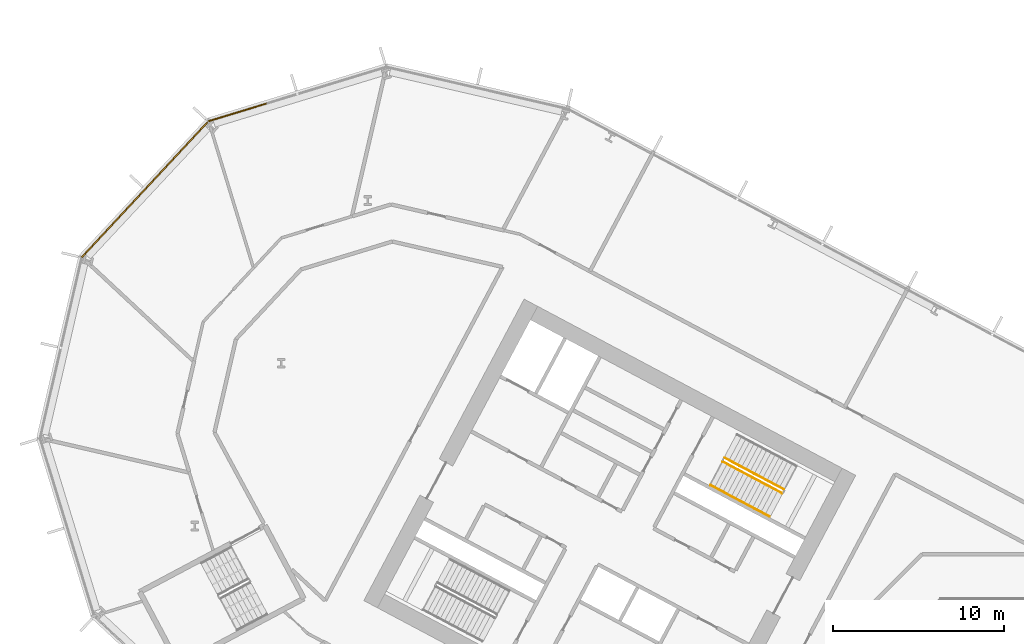
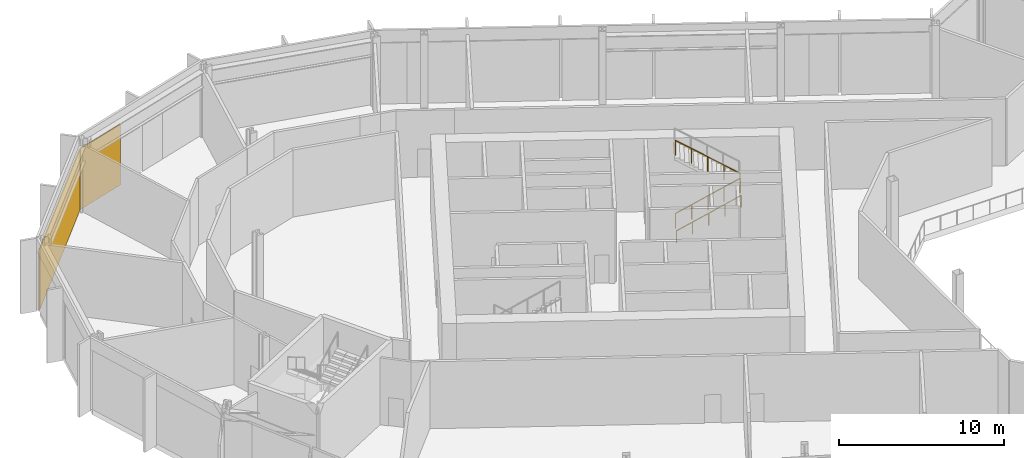
# One storey, part 24 of 32: 3 railings, 2 coverings, 2 elements without a shape of their own.
"""IFC4 building model written with IfcOpenShell, lengths in metres."""

from ifc_helpers import new_model, si_unit, direction, frame, origin, origin_2d, place, context, subcontext, project, spatial, polyline, rectangle, outline, extrude, material, layer, layer_set, type_object, element, aggregate, save


model = new_model("IFC4")

# Units and contexts
model_context = context("Model", 3, precision=1e-05, world=origin(), true_north=direction((0.0, 1.0)))
body_context = subcontext(model_context, "Body", "Model", "MODEL_VIEW")
ifc_project = project(units=[si_unit("LENGTHUNIT", "METRE"), si_unit("AREAUNIT", "SQUARE_METRE"), si_unit("VOLUMEUNIT", "CUBIC_METRE"), si_unit("PLANEANGLEUNIT", "RADIAN"), si_unit("MASSUNIT", "GRAM", prefix="KILO")], contexts=[model_context])

# Site, building, storey
site_placement = place(None, origin())
site = spatial("IfcSite", under=ifc_project, at=site_placement, CompositionType="ELEMENT")
building_placement = place(site_placement, origin())
building = spatial("IfcBuilding", under=site, at=building_placement, Name="Cormorant Relay Tower", CompositionType="ELEMENT")
storey_placement = place(building_placement, frame((0.0, 0.0, 17.60009765625)))
storey = spatial("IfcBuildingStorey", under=building, at=storey_placement, Name="L03", CompositionType="ELEMENT", Elevation=17.60009765625)

# Curtain wall, covering
ifc_material_1 = material(Name="Aluminium 6063-T6 anodised bronze", Category="aluminium")
ifc_layer_1 = layer(ifc_material_1, 0.235107421875)
ifc_layer_set_1 = layer_set([ifc_layer_1], Name="CW6 data hall curtain wall with mineral wool panels")
curtain_wall_type = type_object("IfcCurtainWallType", Name="CW6 data hall curtain wall with mineral wool panels", PredefinedType="NOTDEFINED", material=ifc_layer_set_1)
curtain_wall_1_placement = place(storey_placement, origin())
curtain_wall_1 = element("IfcCurtainWall", 1, at=curtain_wall_1_placement, inside=storey, type_object=curtain_wall_type, Name="CW6 curtain wall 9", PredefinedType="NOTDEFINED")
ifc_material_2 = material(Name="Mineral wool cored anodised bronze aluminium cassette panel", Category="aluminium")
ifc_layer_2 = layer(ifc_material_2, 0.074951171875)
ifc_layer_set_2 = layer_set([ifc_layer_2], Name="CW6 mineral wool cassette panel 75")
covering_type = type_object("IfcCoveringType", Name="CW6 mineral wool cassette panel 75", PredefinedType="CLADDING", material=ifc_layer_set_2)
covering_1_placement = place(storey_placement, frame((-49.169677734375, 39.491455078125, 0.0), z_axis=(0.0, 0.0, 1.0), x_axis=(-0.956304755963, -0.292371704723, 0.0)))
covering_1 = element("IfcCovering", 2, at=covering_1_placement, type_object=covering_type, Name="CW6 panel S03", PredefinedType="CLADDING", context=body_context, shape_type="SweptSolid", body=[
    extrude(rectangle(XDim=3.560302734375, YDim=0.074951171875, at=origin_2d()), origin(), (0.0, 0.0, 1.0), 4.5),
])
aggregate(curtain_wall_1, [covering_1])

curtain_wall_2_placement = place(storey_placement, origin())
curtain_wall_2 = element("IfcCurtainWall", 3, at=curtain_wall_2_placement, inside=storey, type_object=curtain_wall_type, Name="CW6 curtain wall 10", PredefinedType="NOTDEFINED")
covering_2_placement = place(storey_placement, frame((-54.62060546875, 34.958251953125, 0.0), z_axis=(0.0, 0.0, 1.0), x_axis=(-0.681998360062, -0.731353701619, 0.0)))
covering_2 = element("IfcCovering", 4, at=covering_2_placement, type_object=covering_type, Name="CW6 panel S00", PredefinedType="CLADDING", context=body_context, shape_type="SweptSolid", body=[
    extrude(rectangle(XDim=10.79541015625, YDim=0.074951171875, at=origin_2d()), origin(), (0.0, 0.0, 1.0), 4.5),
])
aggregate(curtain_wall_2, [covering_2])

# Railings
ifc_material_3 = material(Name="Steel ASTM A572 Grade 50 (Fy 345 MPa)", Category="steel")
railing_type_1 = type_object("IfcRailingType", Name="Stair guard 1100", PredefinedType="GUARDRAIL", material=ifc_material_3)
railing_1_placement = place(storey_placement, frame((-20.75048828125, 19.017822265625, 0.179931640625)))
element("IfcRailing", 5, at=railing_1_placement, inside=storey, type_object=railing_type_1, Name="L03 A1 stair guard 1", PredefinedType="GUARDRAIL", context=body_context, shape_type="SweptSolid", body=[
    extrude(outline(polyline([(0.022216796875, 0.00927734375), (0.00927734375, 0.022216796875), (-0.00927734375, 0.022216796875), (-0.022216796875, 0.00927734375), (-0.022216796875, -0.00927734375), (-0.00927734375, -0.022216796875), (0.00927734375, -0.022216796875), (0.022216796875, -0.00927734375), (0.022216796875, 0.00927734375)])), frame((0.0, 0.0, 1.076171875), z_axis=(0.74271721126, -0.394907409077, 0.540758062681), x_axis=(0.469469396681, 0.882948744594, 0.0)), (0.0, 0.0, 1.0), 4.66015625),
    extrude(outline(polyline([(0.019287109375, 0.008056640625), (0.008056640625, 0.019287109375), (-0.008056640625, 0.019287109375), (-0.019287109375, 0.008056640625), (-0.019287109375, -0.008056640625), (-0.008056640625, -0.019287109375), (0.008056640625, -0.019287109375), (0.019287109375, -0.008056640625), (0.019287109375, 0.008056640625)])), origin(), (0.0, 0.0, 1.0), 1.052001953125),
    extrude(outline(polyline([(0.019287109375, 0.008056640625), (0.008056640625, 0.019287109375), (-0.008056640625, 0.019287109375), (-0.019287109375, 0.008056640625), (-0.019287109375, -0.008056640625), (-0.008056640625, -0.019287109375), (0.008056640625, -0.019287109375), (0.019287109375, -0.008056640625), (0.019287109375, 0.008056640625)])), frame((0.865234375, -0.4599609375, 0.6298828125)), (0.0, 0.0, 1.0), 1.052001953125),
    extrude(outline(polyline([(0.019287109375, 0.008056640625), (0.008056640625, 0.019287109375), (-0.008056640625, 0.019287109375), (-0.019287109375, 0.008056640625), (-0.019287109375, -0.008056640625), (-0.008056640625, -0.019287109375), (0.008056640625, -0.019287109375), (0.019287109375, -0.008056640625), (0.019287109375, 0.008056640625)])), frame((1.73046875, -0.920166015625, 1.260009765625)), (0.0, 0.0, 1.0), 1.052001953125),
    extrude(outline(polyline([(0.019287109375, 0.008056640625), (0.008056640625, 0.019287109375), (-0.008056640625, 0.019287109375), (-0.019287109375, 0.008056640625), (-0.019287109375, -0.008056640625), (-0.008056640625, -0.019287109375), (0.008056640625, -0.019287109375), (0.019287109375, -0.008056640625), (0.019287109375, 0.008056640625)])), frame((2.595947265625, -1.38037109375, 1.89013671875)), (0.0, 0.0, 1.0), 1.052001953125),
    extrude(outline(polyline([(0.019287109375, 0.008056640625), (0.008056640625, 0.019287109375), (-0.008056640625, 0.019287109375), (-0.019287109375, 0.008056640625), (-0.019287109375, -0.008056640625), (-0.008056640625, -0.019287109375), (0.008056640625, -0.019287109375), (0.019287109375, -0.008056640625), (0.019287109375, 0.008056640625)])), frame((3.461181640625, -1.84033203125, 2.52001953125)), (0.0, 0.0, 1.0), 1.052001953125),
])
railing_2_placement = place(storey_placement, frame((-17.172119140625, 17.398193359375, 2.8798828125)))
element("IfcRailing", 6, at=railing_2_placement, inside=storey, type_object=railing_type_1, Name="L03 A1 stair guard 3", PredefinedType="GUARDRAIL", context=body_context, shape_type="SweptSolid", body=[
    extrude(outline(polyline([(0.022216796875, 0.00927734375), (0.00927734375, 0.022216796875), (-0.00927734375, 0.022216796875), (-0.022216796875, 0.00927734375), (-0.022216796875, -0.00927734375), (-0.00927734375, -0.022216796875), (0.00927734375, -0.022216796875), (0.022216796875, -0.00927734375), (0.022216796875, 0.00927734375)])), frame((0.0, 0.0, 1.076171875), z_axis=(-0.74271721126, 0.394907409077, 0.540758062681), x_axis=(-0.469469396681, -0.882948744594, 0.0)), (0.0, 0.0, 1.0), 4.66015625),
    extrude(outline(polyline([(0.019287109375, 0.008056640625), (0.008056640625, 0.019287109375), (-0.008056640625, 0.019287109375), (-0.019287109375, 0.008056640625), (-0.019287109375, -0.008056640625), (-0.008056640625, -0.019287109375), (0.008056640625, -0.019287109375), (0.019287109375, -0.008056640625), (0.019287109375, 0.008056640625)])), origin(), (0.0, 0.0, 1.0), 1.052001953125),
    extrude(outline(polyline([(0.019287109375, 0.008056640625), (0.008056640625, 0.019287109375), (-0.008056640625, 0.019287109375), (-0.019287109375, 0.008056640625), (-0.019287109375, -0.008056640625), (-0.008056640625, -0.019287109375), (0.008056640625, -0.019287109375), (0.019287109375, -0.008056640625), (0.019287109375, 0.008056640625)])), frame((-0.865234375, 0.4599609375, 0.6298828125)), (0.0, 0.0, 1.0), 1.052001953125),
    extrude(outline(polyline([(0.019287109375, 0.008056640625), (0.008056640625, 0.019287109375), (-0.008056640625, 0.019287109375), (-0.019287109375, 0.008056640625), (-0.019287109375, -0.008056640625), (-0.008056640625, -0.019287109375), (0.008056640625, -0.019287109375), (0.019287109375, -0.008056640625), (0.019287109375, 0.008056640625)])), frame((-1.73046875, 0.920166015625, 1.260009765625)), (0.0, 0.0, 1.0), 1.052001953125),
    extrude(outline(polyline([(0.019287109375, 0.008056640625), (0.008056640625, 0.019287109375), (-0.008056640625, 0.019287109375), (-0.019287109375, 0.008056640625), (-0.019287109375, -0.008056640625), (-0.008056640625, -0.019287109375), (0.008056640625, -0.019287109375), (0.019287109375, -0.008056640625), (0.019287109375, 0.008056640625)])), frame((-2.595947265625, 1.38037109375, 1.89013671875)), (0.0, 0.0, 1.0), 1.052001953125),
    extrude(outline(polyline([(0.019287109375, 0.008056640625), (0.008056640625, 0.019287109375), (-0.008056640625, 0.019287109375), (-0.019287109375, 0.008056640625), (-0.019287109375, -0.008056640625), (-0.008056640625, -0.019287109375), (0.008056640625, -0.019287109375), (0.019287109375, -0.008056640625), (0.019287109375, 0.008056640625)])), frame((-3.461181640625, 1.84033203125, 2.52001953125)), (0.0, 0.0, 1.0), 1.052001953125),
])
ifc_material_4 = material(Name="Steel ASTM A572 Grade 50 (Fy 345 MPa)", Category="steel")
railing_type_2 = type_object("IfcRailingType", Name="Stair handrail 900", PredefinedType="HANDRAIL", material=ifc_material_4)
railing_3_placement = place(storey_placement, frame((-21.478271484375, 17.6494140625, 0.179931640625)))
element("IfcRailing", 7, at=railing_3_placement, inside=storey, type_object=railing_type_2, Name="L03 A1 stair handrail 1", PredefinedType="HANDRAIL", context=body_context, shape_type="SweptSolid", body=[
    extrude(outline(polyline([(0.022216796875, 0.00927734375), (0.00927734375, 0.022216796875), (-0.00927734375, 0.022216796875), (-0.022216796875, 0.00927734375), (-0.022216796875, -0.00927734375), (-0.00927734375, -0.022216796875), (0.00927734375, -0.022216796875), (0.022216796875, -0.00927734375), (0.022216796875, 0.00927734375)])), frame((0.0, 0.0, 0.8759765625), z_axis=(0.74271721126, -0.394907409077, 0.540758062681), x_axis=(0.469469396681, 0.882948744594, 0.0)), (0.0, 0.0, 1.0), 4.66015625),
    extrude(outline(polyline([(0.019287109375, 0.008056640625), (0.008056640625, 0.019287109375), (-0.008056640625, 0.019287109375), (-0.019287109375, 0.008056640625), (-0.019287109375, -0.008056640625), (-0.008056640625, -0.019287109375), (0.008056640625, -0.019287109375), (0.019287109375, -0.008056640625), (0.019287109375, 0.008056640625)])), origin(), (0.0, 0.0, 1.0), 0.851806640625),
    extrude(outline(polyline([(0.019287109375, 0.008056640625), (0.008056640625, 0.019287109375), (-0.008056640625, 0.019287109375), (-0.019287109375, 0.008056640625), (-0.019287109375, -0.008056640625), (-0.008056640625, -0.019287109375), (0.008056640625, -0.019287109375), (0.019287109375, -0.008056640625), (0.019287109375, 0.008056640625)])), frame((0.865234375, -0.4599609375, 0.6298828125)), (0.0, 0.0, 1.0), 0.851806640625),
    extrude(outline(polyline([(0.019287109375, 0.008056640625), (0.008056640625, 0.019287109375), (-0.008056640625, 0.019287109375), (-0.019287109375, 0.008056640625), (-0.019287109375, -0.008056640625), (-0.008056640625, -0.019287109375), (0.008056640625, -0.019287109375), (0.019287109375, -0.008056640625), (0.019287109375, 0.008056640625)])), frame((1.73046875, -0.920166015625, 1.260009765625)), (0.0, 0.0, 1.0), 0.851806640625),
    extrude(outline(polyline([(0.019287109375, 0.008056640625), (0.008056640625, 0.019287109375), (-0.008056640625, 0.019287109375), (-0.019287109375, 0.008056640625), (-0.019287109375, -0.008056640625), (-0.008056640625, -0.019287109375), (0.008056640625, -0.019287109375), (0.019287109375, -0.008056640625), (0.019287109375, 0.008056640625)])), frame((2.595947265625, -1.38037109375, 1.89013671875)), (0.0, 0.0, 1.0), 0.851806640625),
    extrude(outline(polyline([(0.019287109375, 0.008056640625), (0.008056640625, 0.019287109375), (-0.008056640625, 0.019287109375), (-0.019287109375, 0.008056640625), (-0.019287109375, -0.008056640625), (-0.008056640625, -0.019287109375), (0.008056640625, -0.019287109375), (0.019287109375, -0.008056640625), (0.019287109375, 0.008056640625)])), frame((3.461181640625, -1.84033203125, 2.52001953125)), (0.0, 0.0, 1.0), 0.851806640625),
])

save(model, "model.ifc")
